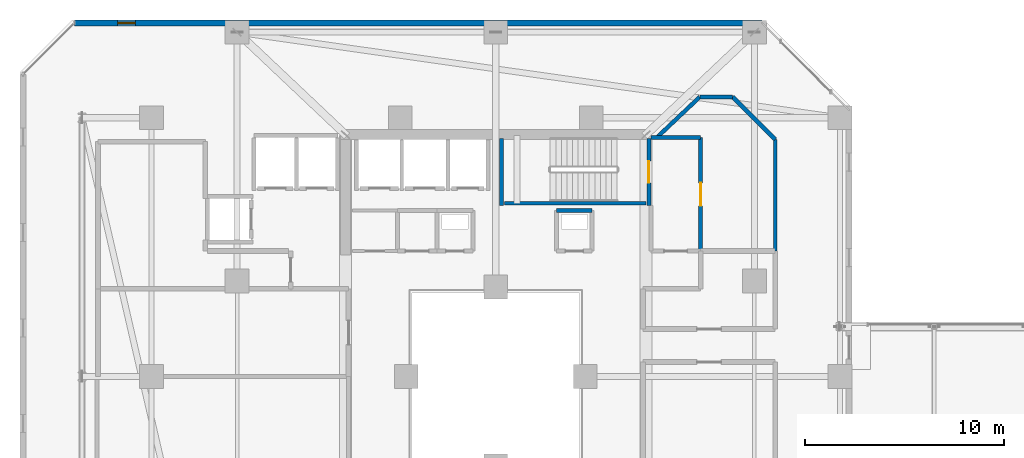
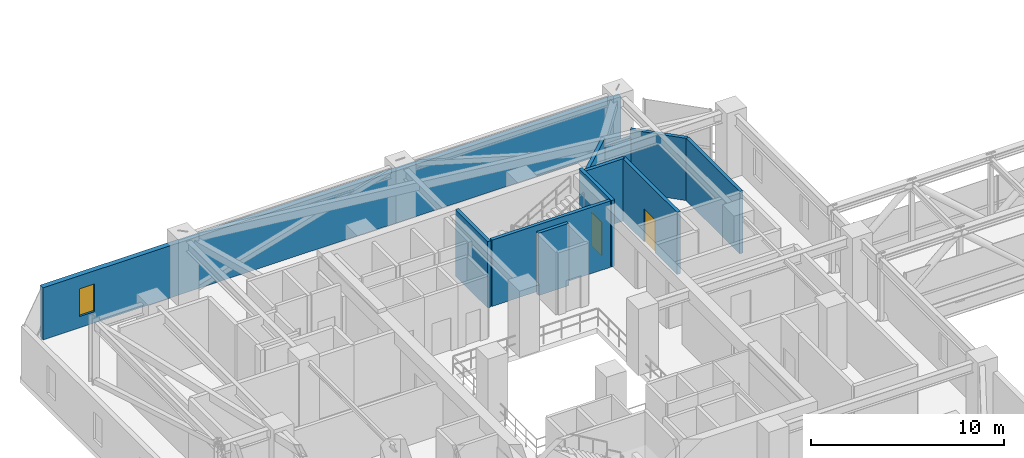
# One storey, part 38 of 45: 11 walls, 2 doors, 1 window, 3 openings.
"""IFC4 building model written with IfcOpenShell, lengths in metres."""

from ifc_helpers import new_model, si_unit, direction, frame, frame_2d, origin, place, context, subcontext, project, spatial, rectangle, extrude, material, layer, layer_set, type_object, element, fill, save


model = new_model("IFC4")

# Units and contexts
model_context = context("Model", 3, precision=1e-05, world=origin(), true_north=direction((0.0, 1.0)))
body_context = subcontext(model_context, "Body", "Model", "MODEL_VIEW")
ifc_project = project(units=[si_unit("LENGTHUNIT", "METRE"), si_unit("AREAUNIT", "SQUARE_METRE"), si_unit("VOLUMEUNIT", "CUBIC_METRE"), si_unit("PLANEANGLEUNIT", "RADIAN"), si_unit("MASSUNIT", "GRAM", prefix="KILO")], contexts=[model_context])

# Site, building, storey
site_placement = place(None, origin())
site = spatial("IfcSite", under=ifc_project, at=site_placement, CompositionType="ELEMENT")
building_placement = place(site_placement, origin())
building = spatial("IfcBuilding", under=site, at=building_placement, Name="Thornwick Lancets Civic Towers", CompositionType="ELEMENT")
storey_placement = place(building_placement, frame((0.0, 0.0, 141.300048828125)))
storey = spatial("IfcBuildingStorey", under=building, at=storey_placement, Name="L37", CompositionType="ELEMENT", Elevation=141.300048828125)

# Wall, opening, door
ifc_material_1 = material(Name="Concrete blockwork C40/50", Category="masonry")
ifc_layer_1 = layer(ifc_material_1, 0.199951171875, Name="Concrete blockwork C40/50")
ifc_layer_set_1 = layer_set([ifc_layer_1], Name="Concrete blockwork C40/50")
wall_type_1 = type_object("IfcWallType", Name="WALL_COMP_200", PredefinedType="STANDARD", material=ifc_layer_set_1)
wall_1_placement = place(storey_placement, frame((35.800048828125, 33.300048828125, 0.0), z_axis=(0.0, 0.0, 1.0), x_axis=(0.0, 1.0, 0.0)))
wall_1 = element("IfcWall", 1, at=wall_1_placement, inside=storey, type_object=wall_type_1, Name="L37 Partition L37-A-FFLOB2 E2", PredefinedType="STANDARD", context=body_context, shape_type="SweptSolid", body=[
    extrude(rectangle(XDim=5.699951171875, YDim=0.199951171875, at=frame_2d((2.85009765625, 0.0))), origin(), (0.0, 0.0, 1.0), 3.93994140625),
])
opening_1_placement = place(wall_1_placement, frame((2.27490234375, 0.0, 0.0)))
opening_1 = element("IfcOpeningElement", 2, at=opening_1_placement, cuts=wall_1, Name="Opening D-L37-1692", PredefinedType="OPENING", context=body_context, shape_type="SweptSolid", body=[
    extrude(rectangle(XDim=1.14990234375, YDim=2.10009765625, at=frame_2d((0.574951171875, 1.050048828125))), frame((0.0, 0.10986328125, 0.0), z_axis=(0.0, -1.0, 0.0), x_axis=(1.0, 0.0, 0.0)), (0.0, 0.0, 1.0), 0.219970703125),
])
ifc_material_2 = material(Name="Glazed fire-resisting steel", Category="steel")
door_type_1 = type_object("IfcDoorType", Name="DOOR_LOBBY_FD60", OperationType="NOTDEFINED", PredefinedType="DOOR", material=ifc_material_2)
door_1_placement = place(opening_1_placement, origin())
door_1 = element("IfcDoor", 3, at=door_1_placement, inside=storey, type_object=door_type_1, Name="L37 Tower A Refuge Holding Area 2 Door", OperationType="SINGLE_SWING_LEFT", OverallHeight=2.10009765625, OverallWidth=1.14990234375, PredefinedType="DOOR", context=body_context, shape_type="SweptSolid", body=[
    extrude(rectangle(XDim=1.14990234375, YDim=2.10009765625, at=frame_2d((0.574951171875, 1.050048828125))), frame((0.0, 0.02490234375, 0.0), z_axis=(0.0, -1.0, 0.0), x_axis=(1.0, 0.0, 0.0)), (0.0, 0.0, 1.0), 0.050048828125),
])
fill(opening_1, door_1)

# Walls
wall_2_placement = place(storey_placement, frame((35.800048828125, 39.0, 0.0), z_axis=(0.0, 0.0, 1.0), x_axis=(-1.0, 0.0, 0.0)))
element("IfcWall", 4, at=wall_2_placement, inside=storey, type_object=wall_type_1, Name="L37 Partition L37-A-FFLOB2 E3", PredefinedType="STANDARD", context=body_context, shape_type="SweptSolid", body=[
    extrude(rectangle(XDim=2.5, YDim=0.199951171875, at=frame_2d((1.25, 0.0))), origin(), (0.0, 0.0, 1.0), 3.93994140625),
])
wall_3_placement = place(storey_placement, frame((30.35009765625, 35.35009765625, 0.0), z_axis=(0.0, 0.0, 1.0), x_axis=(-1.0, 0.0, 0.0)))
element("IfcWall", 5, at=wall_3_placement, inside=storey, type_object=wall_type_1, Name="L37 Partition L37-A-RISER2 E3", PredefinedType="STANDARD", context=body_context, shape_type="SweptSolid", body=[
    extrude(rectangle(XDim=1.800048828125, YDim=0.199951171875, at=frame_2d((0.89990234375, 0.0))), origin(), (0.0, 0.0, 1.0), 3.93994140625),
])
wall_4_placement = place(storey_placement, frame((33.590087890625, 39.0, 0.0), z_axis=(0.0, 0.0, 1.0), x_axis=(0.726822582944, 0.686825256468, 0.0)))
element("IfcWall", 6, at=wall_4_placement, inside=storey, type_object=wall_type_1, Name="L37 Partition L37-A-REF2 E2", PredefinedType="STANDARD", context=body_context, shape_type="SweptSolid", body=[
    extrude(rectangle(XDim=2.98486328125, YDim=0.199951171875, at=frame_2d((1.492431640625, 0.0))), origin(), (0.0, 0.0, 1.0), 3.93994140625),
])
wall_5_placement = place(storey_placement, frame((35.759521484375, 41.050048828125, 0.0), z_axis=(0.0, 0.0, 1.0), x_axis=(1.0, 0.0, 0.0)))
element("IfcWall", 7, at=wall_5_placement, inside=storey, type_object=wall_type_1, Name="L37 Partition L37-A-REF2 E3", PredefinedType="STANDARD", context=body_context, shape_type="SweptSolid", body=[
    extrude(rectangle(XDim=1.645751953125, YDim=0.199951171875, at=frame_2d((0.82275390625, 0.0))), origin(), (0.0, 0.0, 1.0), 3.445068359375),
])
wall_6_placement = place(storey_placement, frame((37.4052734375, 41.050048828125, 0.0), z_axis=(0.0, 0.0, 1.0), x_axis=(0.707106781187, -0.707106781187, 0.0)))
element("IfcWall", 8, at=wall_6_placement, inside=storey, type_object=wall_type_1, Name="L37 Partition L37-A-REF2 E4", PredefinedType="STANDARD", context=body_context, shape_type="SweptSolid", body=[
    extrude(rectangle(XDim=3.033203125, YDim=0.199951171875, at=frame_2d((1.5166015625, 0.0))), origin(), (0.0, 0.0, 1.0), 3.93994140625),
])
wall_7_placement = place(storey_placement, frame((39.550048828125, 38.9052734375, 0.0), z_axis=(0.0, 0.0, 1.0), x_axis=(0.0, -1.0, 0.0)))
element("IfcWall", 9, at=wall_7_placement, inside=storey, type_object=wall_type_1, Name="L37 Partition L37-A-REF2 E5", PredefinedType="STANDARD", context=body_context, shape_type="SweptSolid", body=[
    extrude(rectangle(XDim=5.605224609375, YDim=0.199951171875, at=frame_2d((2.802734375, 0.0))), origin(), (0.0, 0.0, 1.0), 3.93994140625),
])

# Wall, opening, window
ifc_material_3 = material(Name="Insulated russet terracotta rainscreen on concrete C40/50", Category="masonry")
ifc_layer_2 = layer(ifc_material_3, 0.300048828125, Name="Insulated russet terracotta rainscreen on concrete C40/50")
ifc_layer_set_2 = layer_set([ifc_layer_2], Name="Insulated russet terracotta rainscreen on concrete C40/50")
wall_type_2 = type_object("IfcWallType", Name="WALL_EXT_RUSSET_300", PredefinedType="STANDARD", material=ifc_layer_set_2)
wall_8_placement = place(storey_placement, frame((38.888427734375, 44.7587890625, 0.0), z_axis=(0.0, 0.0, 1.0), x_axis=(-0.999999985636, 0.000169493917, 0.0)))
wall_8 = element("IfcWall", 10, at=wall_8_placement, inside=storey, type_object=wall_type_2, Name="L37 Tower A Terracotta Facade Wall E4", PredefinedType="STANDARD", context=body_context, shape_type="SweptSolid", body=[
    extrude(rectangle(XDim=34.56982421875, YDim=0.300048828125, at=frame_2d((17.284912109375, 0.0))), origin(), (0.0, 0.0, 1.0), 3.300048828125),
])
opening_2_placement = place(wall_8_placement, frame((31.5, 0.0, 0.719970703125)))
opening_2 = element("IfcOpeningElement", 11, at=opening_2_placement, cuts=wall_8, Name="Opening WL-01", PredefinedType="OPENING", context=body_context, shape_type="SweptSolid", body=[
    extrude(rectangle(XDim=0.89990234375, YDim=1.75, at=frame_2d((0.449951171875, 0.875))), frame((0.0, 0.16015625, 0.0), z_axis=(0.0, -1.0, 0.0), x_axis=(1.0, 0.0, 0.0)), (0.0, 0.0, 1.0), 0.320068359375),
])
ifc_material_4 = material(Name="Clear low-e double glazing in bronze frame", Category="glass")
window_type = type_object("IfcWindowType", Name="WIN_LANCET_900", PartitioningType="SINGLE_PANEL", PredefinedType="WINDOW", material=ifc_material_4)
window_placement = place(opening_2_placement, origin())
window = element("IfcWindow", 12, at=window_placement, inside=storey, type_object=window_type, Name="L37 Tower A Staggered Lancet Window E4-1", OverallHeight=1.75, OverallWidth=0.89990234375, PartitioningType="SINGLE_PANEL", PredefinedType="WINDOW", context=body_context, shape_type="SweptSolid", body=[
    extrude(rectangle(XDim=0.89990234375, YDim=1.75, at=frame_2d((0.449951171875, 0.875))), frame((0.0, 0.030029296875, 0.0), z_axis=(0.0, -1.0, 0.0), x_axis=(1.0, 0.0, 0.0)), (0.0, 0.0, 1.0), 0.06005859375),
])
fill(opening_2, window)

# Wall, opening, door
ifc_material_5 = material(Name="Concrete C40/50", Category="concrete")
ifc_layer_3 = layer(ifc_material_5, 0.199951171875, Name="Concrete C40/50")
ifc_layer_set_3 = layer_set([ifc_layer_3], Name="Concrete C40/50")
wall_type_3 = type_object("IfcWallType", Name="WALL_SHAFT_200", PredefinedType="SHEAR", material=ifc_layer_set_3)
wall_9_placement = place(storey_placement, frame((33.199951171875, 38.949951171875, 0.0), z_axis=(0.0, 0.0, 1.0), x_axis=(0.0, -1.0, 0.0)))
wall_9 = element("IfcWall", 13, at=wall_9_placement, inside=storey, type_object=wall_type_3, Name="L37 ST-A2 Fire Stair Core Wall NEAR", PredefinedType="SHEAR", context=body_context, shape_type="SweptSolid", body=[
    extrude(rectangle(XDim=3.349853515625, YDim=0.199951171875, at=frame_2d((1.6748046875, 0.0))), origin(), (0.0, 0.0, 1.0), 4.199951171875),
])
opening_3_placement = place(wall_9_placement, frame((1.125, 0.0, 0.0)))
opening_3 = element("IfcOpeningElement", 14, at=opening_3_placement, cuts=wall_9, Name="Opening D-ST-A2-L37", PredefinedType="OPENING", context=body_context, shape_type="SweptSolid", body=[
    extrude(rectangle(XDim=1.10009765625, YDim=2.10009765625, at=frame_2d((0.550048828125, 1.050048828125))), frame((0.0, 0.10986328125, 0.0), z_axis=(0.0, -1.0, 0.0), x_axis=(1.0, 0.0, 0.0)), (0.0, 0.0, 1.0), 0.219970703125),
])
ifc_material_6 = material(Name="Fire-resisting steel and hardwood", Category="steel")
door_type_2 = type_object("IfcDoorType", Name="DOOR_STAIR_FD60", OperationType="NOTDEFINED", PredefinedType="DOOR", material=ifc_material_6)
door_2_placement = place(opening_3_placement, origin())
door_2 = element("IfcDoor", 15, at=door_2_placement, inside=storey, type_object=door_type_2, Name="L37 ST-A2 Exit Stair Door", OperationType="SINGLE_SWING_LEFT", OverallHeight=2.10009765625, OverallWidth=1.10009765625, PredefinedType="DOOR", context=body_context, shape_type="SweptSolid", body=[
    extrude(rectangle(XDim=1.10009765625, YDim=2.10009765625, at=frame_2d((0.550048828125, 1.050048828125))), frame((0.0, 0.02490234375, 0.0), z_axis=(0.0, -1.0, 0.0), x_axis=(1.0, 0.0, 0.0)), (0.0, 0.0, 1.0), 0.050048828125),
])
fill(opening_3, door_2)

# Walls
wall_10_placement = place(storey_placement, frame((25.800048828125, 35.60009765625, 0.0), z_axis=(0.0, 0.0, 1.0), x_axis=(0.0, 1.0, 0.0)))
element("IfcWall", 16, at=wall_10_placement, inside=storey, type_object=wall_type_3, Name="L37 ST-A2 Fire Stair Core Wall FAR", PredefinedType="SHEAR", context=body_context, shape_type="SweptSolid", body=[
    extrude(rectangle(XDim=3.349853515625, YDim=0.199951171875, at=frame_2d((1.6748046875, 0.0))), origin(), (0.0, 0.0, 1.0), 4.199951171875),
])
wall_11_placement = place(storey_placement, frame((25.949951171875, 35.702880859375, 0.0), z_axis=(0.0, 0.0, 1.0), x_axis=(1.0, 0.0, 0.0)))
element("IfcWall", 17, at=wall_11_placement, inside=storey, type_object=wall_type_3, Name="L37 ST-A2 Fire Stair Core Wall RIGHT", PredefinedType="SHEAR", context=body_context, shape_type="SweptSolid", body=[
    extrude(rectangle(XDim=7.10009765625, YDim=0.199951171875, at=frame_2d((3.550048828125, 0.0))), origin(), (0.0, 0.0, 1.0), 4.199951171875),
])

save(model, "model.ifc")
